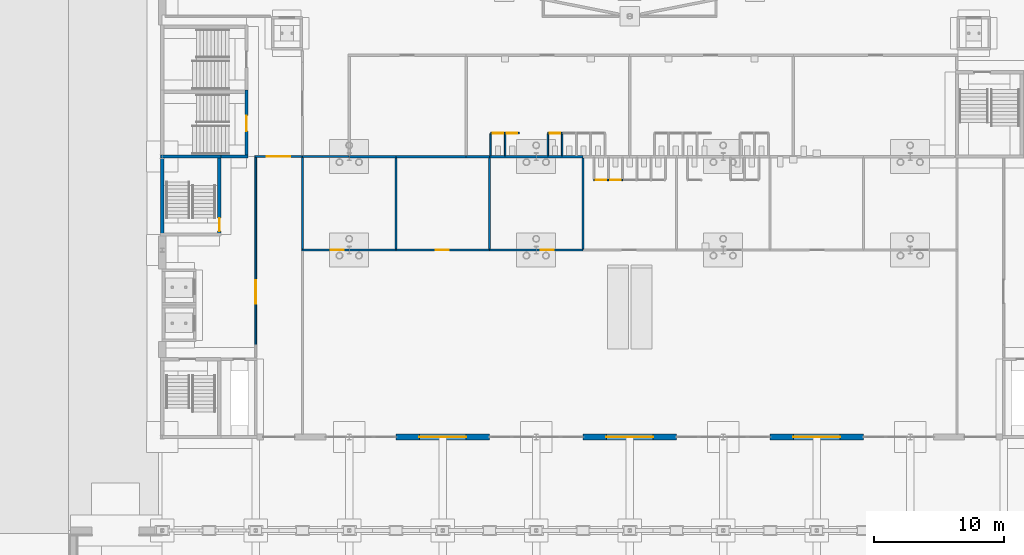
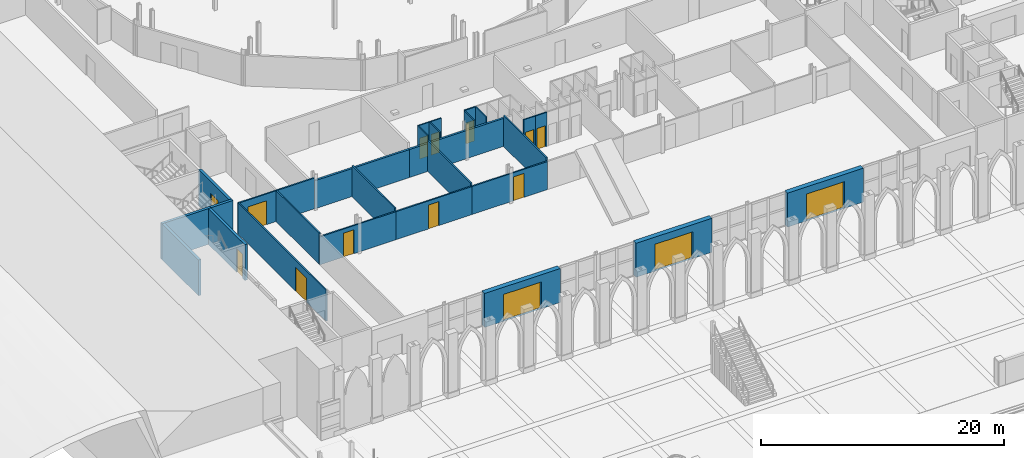
# One storey, part 76 of 148: 31 walls, 15 doors, 15 openings.
"""IFC4 building model written with IfcOpenShell, lengths in metres."""

from ifc_helpers import new_model, si_unit, direction, frame, frame_2d, origin, place, context, subcontext, project, spatial, rectangle, extrude, material, layer, layer_set, type_object, element, fill, save


model = new_model("IFC4")

# Units and contexts
model_context = context("Model", 3, precision=1e-05, world=origin(), true_north=direction((0.0, 1.0)))
body_context = subcontext(model_context, "Body", "Model", "MODEL_VIEW")
ifc_project = project(units=[si_unit("LENGTHUNIT", "METRE"), si_unit("AREAUNIT", "SQUARE_METRE"), si_unit("VOLUMEUNIT", "CUBIC_METRE"), si_unit("PLANEANGLEUNIT", "RADIAN"), si_unit("MASSUNIT", "GRAM", prefix="KILO")], contexts=[model_context])

# Site, building, storey
site_placement = place(None, origin())
site = spatial("IfcSite", under=ifc_project, at=site_placement, CompositionType="ELEMENT")
building_placement = place(site_placement, origin())
building = spatial("IfcBuilding", under=site, at=building_placement, Name="Kupolbacken Congress Centre", CompositionType="ELEMENT")
storey_placement = place(building_placement, origin())
storey = spatial("IfcBuildingStorey", under=building, at=storey_placement, Name="L00", CompositionType="ELEMENT", Elevation=0.0)

# Wall, opening, door
ifc_material_1 = material(Name="Concrete C40/50", Category="concrete")
ifc_layer_1 = layer(ifc_material_1, 0.1201171875)
ifc_material_2 = material(Name="Mineral wool", Category="insulation")
ifc_layer_2 = layer(ifc_material_2, 0.19189453125)
ifc_material_3 = material(Name="Air cavity", Category="air")
ifc_layer_3 = layer(ifc_material_3, 0.0400390625, ventilated=True)
ifc_material_4 = material(Name="Brick", Category="masonry")
ifc_layer_4 = layer(ifc_material_4, 0.10791015625)
ifc_layer_set_1 = layer_set([ifc_layer_1, ifc_layer_2, ifc_layer_3, ifc_layer_4], Name="Concrete C40/50 / Mineral wool / Brick")
wall_type_1 = type_object("IfcWallType", Name="EW06 external cavity wall 460", PredefinedType="SOLIDWALL", material=ifc_layer_set_1)
wall_1_placement = place(storey_placement, frame((25.199951171875, 28.800048828125, 0.0), z_axis=(0.0, 0.0, 1.0), x_axis=(1.0, 0.0, 0.0)))
wall_1 = element("IfcWall", 1, at=wall_1_placement, inside=storey, type_object=wall_type_1, Name="E/F/S/L00/032", PredefinedType="SOLIDWALL", context=body_context, shape_type="SweptSolid", body=[
    extrude(rectangle(XDim=7.199951171875, YDim=0.4599609375, at=frame_2d((3.60009765625, 0.0))), origin(), (0.0, 0.0, 1.0), 3.419921875),
])
opening_1_placement = place(wall_1_placement, frame((1.800048828125, 0.0, 0.0)))
opening_1 = element("IfcOpeningElement", 2, at=opening_1_placement, cuts=wall_1, Name="Opening D40", PredefinedType="OPENING", context=body_context, shape_type="SweptSolid", body=[
    extrude(rectangle(XDim=3.60009765625, YDim=2.699951171875, at=frame_2d((1.800048828125, 1.35009765625))), frame((0.0, 0.239990234375, 0.0), z_axis=(0.0, -1.0, 0.0), x_axis=(1.0, 0.0, 0.0)), (0.0, 0.0, 1.0), 0.47998046875),
])
ifc_material_5 = material(Name="Aluminium framed glazed door", Category="aluminium")
door_type_1 = type_object("IfcDoorType", Name="D40 entrance door pair 3600x2700", OperationType="DOUBLE_DOOR_SINGLE_SWING", PredefinedType="DOOR", material=ifc_material_5)
door_1_placement = place(opening_1_placement, frame((3.60009765625, 0.0, 0.0), z_axis=(0.0, 0.0, 1.0), x_axis=(-1.0, 0.0, 0.0)))
door_1 = element("IfcDoor", 3, at=door_1_placement, inside=storey, type_object=door_type_1, Name="Main entrance E1", OperationType="DOUBLE_DOOR_SINGLE_SWING", OverallHeight=2.699951171875, OverallWidth=3.60009765625, PredefinedType="DOOR", context=body_context, shape_type="SweptSolid", body=[
    extrude(rectangle(XDim=3.60009765625, YDim=2.699951171875, at=frame_2d((1.800048828125, 1.35009765625))), frame((0.0, 0.02490234375, 0.0), z_axis=(0.0, -1.0, 0.0), x_axis=(1.0, 0.0, 0.0)), (0.0, 0.0, 1.0), 0.050048828125),
])
fill(opening_1, door_1)

wall_2_placement = place(storey_placement, frame((39.60009765625, 28.800048828125, 0.0), z_axis=(0.0, 0.0, 1.0), x_axis=(1.0, 0.0, 0.0)))
wall_2 = element("IfcWall", 4, at=wall_2_placement, inside=storey, type_object=wall_type_1, Name="E/F/S/L00/035", PredefinedType="SOLIDWALL", context=body_context, shape_type="SweptSolid", body=[
    extrude(rectangle(XDim=7.199951171875, YDim=0.4599609375, at=frame_2d((3.60009765625, 0.0))), origin(), (0.0, 0.0, 1.0), 3.419921875),
])
opening_2_placement = place(wall_2_placement, frame((1.800048828125, 0.0, 0.0)))
opening_2 = element("IfcOpeningElement", 5, at=opening_2_placement, cuts=wall_2, Name="Opening D40", PredefinedType="OPENING", context=body_context, shape_type="SweptSolid", body=[
    extrude(rectangle(XDim=3.60009765625, YDim=2.699951171875, at=frame_2d((1.800048828125, 1.35009765625))), frame((0.0, 0.239990234375, 0.0), z_axis=(0.0, -1.0, 0.0), x_axis=(1.0, 0.0, 0.0)), (0.0, 0.0, 1.0), 0.47998046875),
])
door_2_placement = place(opening_2_placement, frame((3.60009765625, 0.0, 0.0), z_axis=(0.0, 0.0, 1.0), x_axis=(-1.0, 0.0, 0.0)))
door_2 = element("IfcDoor", 6, at=door_2_placement, inside=storey, type_object=door_type_1, Name="Main entrance E2", OperationType="DOUBLE_DOOR_SINGLE_SWING", OverallHeight=2.699951171875, OverallWidth=3.60009765625, PredefinedType="DOOR", context=body_context, shape_type="SweptSolid", body=[
    extrude(rectangle(XDim=3.60009765625, YDim=2.699951171875, at=frame_2d((1.800048828125, 1.35009765625))), frame((0.0, 0.02490234375, 0.0), z_axis=(0.0, -1.0, 0.0), x_axis=(1.0, 0.0, 0.0)), (0.0, 0.0, 1.0), 0.050048828125),
])
fill(opening_2, door_2)

wall_3_placement = place(storey_placement, frame((54.0, 28.800048828125, 0.0), z_axis=(0.0, 0.0, 1.0), x_axis=(1.0, 0.0, 0.0)))
wall_3 = element("IfcWall", 7, at=wall_3_placement, inside=storey, type_object=wall_type_1, Name="E/F/S/L00/038", PredefinedType="SOLIDWALL", context=body_context, shape_type="SweptSolid", body=[
    extrude(rectangle(XDim=7.199951171875, YDim=0.4599609375, at=frame_2d((3.60009765625, 0.0))), origin(), (0.0, 0.0, 1.0), 3.419921875),
])
opening_3_placement = place(wall_3_placement, frame((1.800048828125, 0.0, 0.0)))
opening_3 = element("IfcOpeningElement", 8, at=opening_3_placement, cuts=wall_3, Name="Opening D40", PredefinedType="OPENING", context=body_context, shape_type="SweptSolid", body=[
    extrude(rectangle(XDim=3.60009765625, YDim=2.699951171875, at=frame_2d((1.800048828125, 1.35009765625))), frame((0.0, 0.239990234375, 0.0), z_axis=(0.0, -1.0, 0.0), x_axis=(1.0, 0.0, 0.0)), (0.0, 0.0, 1.0), 0.47998046875),
])
door_3_placement = place(opening_3_placement, frame((3.60009765625, 0.0, 0.0), z_axis=(0.0, 0.0, 1.0), x_axis=(-1.0, 0.0, 0.0)))
door_3 = element("IfcDoor", 9, at=door_3_placement, inside=storey, type_object=door_type_1, Name="Main entrance E3", OperationType="DOUBLE_DOOR_SINGLE_SWING", OverallHeight=2.699951171875, OverallWidth=3.60009765625, PredefinedType="DOOR", context=body_context, shape_type="SweptSolid", body=[
    extrude(rectangle(XDim=3.60009765625, YDim=2.699951171875, at=frame_2d((1.800048828125, 1.35009765625))), frame((0.0, 0.02490234375, 0.0), z_axis=(0.0, -1.0, 0.0), x_axis=(1.0, 0.0, 0.0)), (0.0, 0.0, 1.0), 0.050048828125),
])
fill(opening_3, door_3)

ifc_material_6 = material(Name="Gypsum board", Category="drywall")
ifc_layer_5 = layer(ifc_material_6, 0.114990234375)
ifc_layer_set_2 = layer_set([ifc_layer_5], Name="Gypsum board")
wall_type_2 = type_object("IfcWallType", Name="P04 partition 115", PredefinedType="PARTITIONING", material=ifc_layer_set_2)
wall_4_placement = place(storey_placement, frame((40.449951171875, 48.60009765625, 0.0), z_axis=(0.0, 0.0, 1.0), x_axis=(1.0, 0.0, 0.0)))
wall_4 = element("IfcWall", 10, at=wall_4_placement, inside=storey, type_object=wall_type_2, Name="PD/L00/F-19/cub01/F", PredefinedType="PARTITIONING", context=body_context, shape_type="SweptSolid", body=[
    extrude(rectangle(XDim=1.10009765625, YDim=0.114990234375, at=frame_2d((0.550048828125, 0.0))), origin(), (0.0, 0.0, 1.0), 3.419921875),
])
opening_4_placement = place(wall_4_placement, frame((0.14990234375, 0.0, 0.0)))
opening_4 = element("IfcOpeningElement", 11, at=opening_4_placement, cuts=wall_4, Name="Opening 0.WF01", PredefinedType="OPENING", context=body_context, shape_type="SweptSolid", body=[
    extrude(rectangle(XDim=0.800048828125, YDim=2.10009765625, at=frame_2d((0.39990234375, 1.050048828125))), frame((0.0, 0.0673828125, 0.0), z_axis=(0.0, -1.0, 0.0), x_axis=(1.0, 0.0, 0.0)), (0.0, 0.0, 1.0), 0.135009765625),
])
ifc_material_7 = material(Name="Timber door leaf", Category="wood")
door_type_2 = type_object("IfcDoorType", Name="D2 door 800x2100", OperationType="SINGLE_SWING_LEFT", PredefinedType="DOOR", material=ifc_material_7)
door_4_placement = place(opening_4_placement, origin())
door_4 = element("IfcDoor", 12, at=door_4_placement, inside=storey, type_object=door_type_2, Name="PD/L00/F-19/cub01/F/DC", OperationType="SINGLE_SWING_RIGHT", OverallHeight=2.10009765625, OverallWidth=0.800048828125, PredefinedType="DOOR", context=body_context, shape_type="SweptSolid", body=[
    extrude(rectangle(XDim=0.800048828125, YDim=2.10009765625, at=frame_2d((0.39990234375, 1.050048828125))), frame((0.0, 0.02490234375, 0.0), z_axis=(0.0, -1.0, 0.0), x_axis=(1.0, 0.0, 0.0)), (0.0, 0.0, 1.0), 0.050048828125),
])
fill(opening_4, door_4)

wall_5_placement = place(storey_placement, frame((41.550048828125, 48.60009765625, 0.0), z_axis=(0.0, 0.0, 1.0), x_axis=(1.0, 0.0, 0.0)))
wall_5 = element("IfcWall", 13, at=wall_5_placement, inside=storey, type_object=wall_type_2, Name="PD/L00/F-19/cub02/F", PredefinedType="PARTITIONING", context=body_context, shape_type="SweptSolid", body=[
    extrude(rectangle(XDim=1.099853515625, YDim=0.114990234375, at=frame_2d((0.5498046875, 0.0))), origin(), (0.0, 0.0, 1.0), 3.419921875),
])
opening_5_placement = place(wall_5_placement, frame((0.14990234375, 0.0, 0.0)))
opening_5 = element("IfcOpeningElement", 14, at=opening_5_placement, cuts=wall_5, Name="Opening 0.WF02", PredefinedType="OPENING", context=body_context, shape_type="SweptSolid", body=[
    extrude(rectangle(XDim=0.800048828125, YDim=2.10009765625, at=frame_2d((0.39990234375, 1.050048828125))), frame((0.0, 0.0673828125, 0.0), z_axis=(0.0, -1.0, 0.0), x_axis=(1.0, 0.0, 0.0)), (0.0, 0.0, 1.0), 0.135009765625),
])
door_5_placement = place(opening_5_placement, origin())
door_5 = element("IfcDoor", 15, at=door_5_placement, inside=storey, type_object=door_type_2, Name="PD/L00/F-19/cub02/F/DC", OperationType="SINGLE_SWING_RIGHT", OverallHeight=2.10009765625, OverallWidth=0.800048828125, PredefinedType="DOOR", context=body_context, shape_type="SweptSolid", body=[
    extrude(rectangle(XDim=0.800048828125, YDim=2.10009765625, at=frame_2d((0.39990234375, 1.050048828125))), frame((0.0, 0.02490234375, 0.0), z_axis=(0.0, -1.0, 0.0), x_axis=(1.0, 0.0, 0.0)), (0.0, 0.0, 1.0), 0.050048828125),
])
fill(opening_5, door_5)

wall_6_placement = place(storey_placement, frame((32.5, 52.199951171875, 0.0), z_axis=(0.0, 0.0, 1.0), x_axis=(1.0, 0.0, 0.0)))
wall_6 = element("IfcWall", 16, at=wall_6_placement, inside=storey, type_object=wall_type_2, Name="PD/L00/P-29-10/cub01/F", PredefinedType="PARTITIONING", context=body_context, shape_type="SweptSolid", body=[
    extrude(rectangle(XDim=1.10009765625, YDim=0.114990234375, at=frame_2d((0.550048828125, 0.0))), origin(), (0.0, 0.0, 1.0), 3.419921875),
])
opening_6_placement = place(wall_6_placement, frame((0.14990234375, 0.0, 0.0)))
opening_6 = element("IfcOpeningElement", 17, at=opening_6_placement, cuts=wall_6, Name="Opening 0.WP09", PredefinedType="OPENING", context=body_context, shape_type="SweptSolid", body=[
    extrude(rectangle(XDim=0.800048828125, YDim=2.10009765625, at=frame_2d((0.39990234375, 1.050048828125))), frame((0.0, 0.0673828125, 0.0), z_axis=(0.0, -1.0, 0.0), x_axis=(1.0, 0.0, 0.0)), (0.0, 0.0, 1.0), 0.135009765625),
])
door_6_placement = place(opening_6_placement, origin())
door_6 = element("IfcDoor", 18, at=door_6_placement, inside=storey, type_object=door_type_2, Name="PD/L00/P-29-10/cub01/F/DC", OperationType="SINGLE_SWING_RIGHT", OverallHeight=2.10009765625, OverallWidth=0.800048828125, PredefinedType="DOOR", context=body_context, shape_type="SweptSolid", body=[
    extrude(rectangle(XDim=0.800048828125, YDim=2.10009765625, at=frame_2d((0.39990234375, 1.050048828125))), frame((0.0, 0.02490234375, 0.0), z_axis=(0.0, -1.0, 0.0), x_axis=(1.0, 0.0, 0.0)), (0.0, 0.0, 1.0), 0.050048828125),
])
fill(opening_6, door_6)

# Wall
wall_7_placement = place(storey_placement, frame((32.5, 50.45751953125, 0.0), z_axis=(0.0, 0.0, 1.0), x_axis=(0.0, 1.0, 0.0)))
element("IfcWall", 19, at=wall_7_placement, inside=storey, type_object=wall_type_2, Name="PD/L00/P-29-10/cub01/a", PredefinedType="PARTITIONING", context=body_context, shape_type="SweptSolid", body=[
    extrude(rectangle(XDim=1.68505859375, YDim=0.114990234375, at=frame_2d((0.842529296875, 0.0))), origin(), (0.0, 0.0, 1.0), 3.419921875),
])

# Wall, opening, door
wall_8_placement = place(storey_placement, frame((33.60009765625, 52.199951171875, 0.0), z_axis=(0.0, 0.0, 1.0), x_axis=(1.0, 0.0, 0.0)))
wall_8 = element("IfcWall", 20, at=wall_8_placement, inside=storey, type_object=wall_type_2, Name="PD/L00/P-29-10/cub02/F", PredefinedType="PARTITIONING", context=body_context, shape_type="SweptSolid", body=[
    extrude(rectangle(XDim=1.099853515625, YDim=0.114990234375, at=frame_2d((0.5498046875, 0.0))), origin(), (0.0, 0.0, 1.0), 3.419921875),
])
opening_7_placement = place(wall_8_placement, frame((0.14990234375, 0.0, 0.0)))
opening_7 = element("IfcOpeningElement", 21, at=opening_7_placement, cuts=wall_8, Name="Opening 0.WP10", PredefinedType="OPENING", context=body_context, shape_type="SweptSolid", body=[
    extrude(rectangle(XDim=0.800048828125, YDim=2.10009765625, at=frame_2d((0.39990234375, 1.050048828125))), frame((0.0, 0.0673828125, 0.0), z_axis=(0.0, -1.0, 0.0), x_axis=(1.0, 0.0, 0.0)), (0.0, 0.0, 1.0), 0.135009765625),
])
door_7_placement = place(opening_7_placement, origin())
door_7 = element("IfcDoor", 22, at=door_7_placement, inside=storey, type_object=door_type_2, Name="PD/L00/P-29-10/cub02/F/DC", OperationType="SINGLE_SWING_RIGHT", OverallHeight=2.10009765625, OverallWidth=0.800048828125, PredefinedType="DOOR", context=body_context, shape_type="SweptSolid", body=[
    extrude(rectangle(XDim=0.800048828125, YDim=2.10009765625, at=frame_2d((0.39990234375, 1.050048828125))), frame((0.0, 0.02490234375, 0.0), z_axis=(0.0, -1.0, 0.0), x_axis=(1.0, 0.0, 0.0)), (0.0, 0.0, 1.0), 0.050048828125),
])
fill(opening_7, door_7)

# Wall
wall_9_placement = place(storey_placement, frame((33.60009765625, 50.45751953125, 0.0), z_axis=(0.0, 0.0, 1.0), x_axis=(0.0, 1.0, 0.0)))
element("IfcWall", 23, at=wall_9_placement, inside=storey, type_object=wall_type_2, Name="PD/L00/P-29-10/cub02/a", PredefinedType="PARTITIONING", context=body_context, shape_type="SweptSolid", body=[
    extrude(rectangle(XDim=1.68505859375, YDim=0.114990234375, at=frame_2d((0.842529296875, 0.0))), origin(), (0.0, 0.0, 1.0), 3.419921875),
])

# Wall, opening, door
wall_10_placement = place(storey_placement, frame((36.89990234375, 52.199951171875, 0.0), z_axis=(0.0, 0.0, 1.0), x_axis=(1.0, 0.0, 0.0)))
wall_10 = element("IfcWall", 24, at=wall_10_placement, inside=storey, type_object=wall_type_2, Name="PD/L00/P-29-10/cub05/F", PredefinedType="PARTITIONING", context=body_context, shape_type="SweptSolid", body=[
    extrude(rectangle(XDim=1.10009765625, YDim=0.114990234375, at=frame_2d((0.550048828125, 0.0))), origin(), (0.0, 0.0, 1.0), 3.419921875),
])
opening_8_placement = place(wall_10_placement, frame((0.14990234375, 0.0, 0.0)))
opening_8 = element("IfcOpeningElement", 25, at=opening_8_placement, cuts=wall_10, Name="Opening 0.WP11", PredefinedType="OPENING", context=body_context, shape_type="SweptSolid", body=[
    extrude(rectangle(XDim=0.800048828125, YDim=2.10009765625, at=frame_2d((0.39990234375, 1.050048828125))), frame((0.0, 0.0673828125, 0.0), z_axis=(0.0, -1.0, 0.0), x_axis=(1.0, 0.0, 0.0)), (0.0, 0.0, 1.0), 0.135009765625),
])
door_8_placement = place(opening_8_placement, origin())
door_8 = element("IfcDoor", 26, at=door_8_placement, inside=storey, type_object=door_type_2, Name="PD/L00/P-29-10/cub05/F/DC", OperationType="SINGLE_SWING_LEFT", OverallHeight=2.10009765625, OverallWidth=0.800048828125, PredefinedType="DOOR", context=body_context, shape_type="SweptSolid", body=[
    extrude(rectangle(XDim=0.800048828125, YDim=2.10009765625, at=frame_2d((0.39990234375, 1.050048828125))), frame((0.0, 0.02490234375, 0.0), z_axis=(0.0, -1.0, 0.0), x_axis=(1.0, 0.0, 0.0)), (0.0, 0.0, 1.0), 0.050048828125),
])
fill(opening_8, door_8)

# Walls
for number, where, z_axis, x_axis, name in (
    (27, (36.89990234375, 50.45751953125, 0.0), (0.0, 0.0, 1.0), (0.0, 1.0, 0.0), "PD/L00/P-29-10/cub05/a"),
    (28, (38.0, 50.45751953125, 0.0), (0.0, 0.0, 1.0), (0.0, 1.0, 0.0), "PD/L00/P-29-10/cub06/a"),
):
    element("IfcWall", number, at=place(storey_placement, frame(where, z_axis=z_axis, x_axis=x_axis)), inside=storey, type_object=wall_type_2, Name=name, PredefinedType="PARTITIONING", context=body_context, shape_type="SweptSolid", body=[
        extrude(rectangle(XDim=1.68505859375, YDim=0.114990234375, at=frame_2d((0.842529296875, 0.0))), origin(), (0.0, 0.0, 1.0), 3.419921875),
    ])

# Wall, opening, door
ifc_material_8 = material(Name="Gypsum board", Category="drywall")
ifc_layer_6 = layer(ifc_material_8, 0.135009765625)
ifc_layer_set_3 = layer_set([ifc_layer_6], Name="Gypsum board")
wall_type_3 = type_object("IfcWallType", Name="P06 compartment wall 135", PredefinedType="PARTITIONING", material=ifc_layer_set_3)
wall_11_placement = place(storey_placement, frame((14.39990234375, 50.33251953125, 0.0), z_axis=(0.0, 0.0, 1.0), x_axis=(0.0, -1.0, 0.0)))
wall_11 = element("IfcWall", 29, at=wall_11_placement, inside=storey, type_object=wall_type_3, Name="PD/L00/W001", PredefinedType="PARTITIONING", context=body_context, shape_type="SweptSolid", body=[
    extrude(rectangle(XDim=14.442626953125, YDim=0.135009765625, at=frame_2d((7.22119140625, 0.0))), origin(), (0.0, 0.0, 1.0), 3.1201171875),
])
opening_9_placement = place(wall_11_placement, frame((9.449951171875, 0.0, 0.0)))
opening_9 = element("IfcOpeningElement", 30, at=opening_9_placement, cuts=wall_11, Name="Opening 0.F14", PredefinedType="OPENING", context=body_context, shape_type="SweptSolid", body=[
    extrude(rectangle(XDim=1.800048828125, YDim=2.39990234375, at=frame_2d((0.89990234375, 1.199951171875))), frame((0.0, 0.077392578125, 0.0), z_axis=(0.0, -1.0, 0.0), x_axis=(1.0, 0.0, 0.0)), (0.0, 0.0, 1.0), 0.155029296875),
])
ifc_material_9 = material(Name="Steel fire door leaf", Category="steel")
door_type_3 = type_object("IfcDoorType", Name="D15 fire door 1800x2400", OperationType="DOUBLE_DOOR_SINGLE_SWING", PredefinedType="DOOR", material=ifc_material_9)
door_9_placement = place(opening_9_placement, frame((1.800048828125, 0.0, 0.0), z_axis=(0.0, 0.0, 1.0), x_axis=(-1.0, 0.0, 0.0)))
door_9 = element("IfcDoor", 31, at=door_9_placement, inside=storey, type_object=door_type_3, Name="PD/L00/W001/D0F14", OperationType="DOUBLE_DOOR_SINGLE_SWING", OverallHeight=2.39990234375, OverallWidth=1.800048828125, PredefinedType="DOOR", context=body_context, shape_type="SweptSolid", body=[
    extrude(rectangle(XDim=1.800048828125, YDim=2.39990234375, at=frame_2d((0.89990234375, 1.199951171875))), frame((0.0, 0.02490234375, 0.0), z_axis=(0.0, -1.0, 0.0), x_axis=(1.0, 0.0, 0.0)), (0.0, 0.0, 1.0), 0.050048828125),
])
fill(opening_9, door_9)

wall_12_placement = place(storey_placement, frame((18.0, 50.39990234375, 0.0), z_axis=(0.0, 0.0, 1.0), x_axis=(-1.0, 0.0, 0.0)))
wall_12 = element("IfcWall", 32, at=wall_12_placement, inside=storey, type_object=wall_type_3, Name="PD/L00/W003", PredefinedType="PARTITIONING", context=body_context, shape_type="SweptSolid", body=[
    extrude(rectangle(XDim=3.66748046875, YDim=0.135009765625, at=frame_2d((1.833740234375, 0.0))), origin(), (0.0, 0.0, 1.0), 3.090087890625),
])
opening_10_placement = place(wall_12_placement, frame((0.949951171875, 0.0, 0.0)))
opening_10 = element("IfcOpeningElement", 33, at=opening_10_placement, cuts=wall_12, Name="Opening 0.P23", PredefinedType="OPENING", context=body_context, shape_type="SweptSolid", body=[
    extrude(rectangle(XDim=1.800048828125, YDim=2.39990234375, at=frame_2d((0.89990234375, 1.199951171875))), frame((0.0, 0.077392578125, 0.0), z_axis=(0.0, -1.0, 0.0), x_axis=(1.0, 0.0, 0.0)), (0.0, 0.0, 1.0), 0.155029296875),
])
door_10_placement = place(opening_10_placement, origin())
door_10 = element("IfcDoor", 34, at=door_10_placement, inside=storey, type_object=door_type_3, Name="PD/L00/W003/D0P23", OperationType="DOUBLE_DOOR_SINGLE_SWING", OverallHeight=2.39990234375, OverallWidth=1.800048828125, PredefinedType="DOOR", context=body_context, shape_type="SweptSolid", body=[
    extrude(rectangle(XDim=1.800048828125, YDim=2.39990234375, at=frame_2d((0.89990234375, 1.199951171875))), frame((0.0, 0.02490234375, 0.0), z_axis=(0.0, -1.0, 0.0), x_axis=(1.0, 0.0, 0.0)), (0.0, 0.0, 1.0), 0.050048828125),
])
fill(opening_10, door_10)

wall_13_placement = place(storey_placement, frame((17.9326171875, 43.199951171875, 0.0), z_axis=(0.0, 0.0, 1.0), x_axis=(1.0, 0.0, 0.0)))
wall_13 = element("IfcWall", 35, at=wall_13_placement, inside=storey, type_object=wall_type_3, Name="PD/L00/W030", PredefinedType="PARTITIONING", context=body_context, shape_type="SweptSolid", body=[
    extrude(rectangle(XDim=7.267333984375, YDim=0.135009765625, at=frame_2d((3.6337890625, 0.0))), origin(), (0.0, 0.0, 1.0), 2.820068359375),
])
opening_11_placement = place(wall_13_placement, frame((2.25, 0.0, 0.0)))
opening_11 = element("IfcOpeningElement", 36, at=opening_11_placement, cuts=wall_13, Name="Opening 0.F07", PredefinedType="OPENING", context=body_context, shape_type="SweptSolid", body=[
    extrude(rectangle(XDim=1.0, YDim=2.39990234375, at=frame_2d((0.5, 1.199951171875))), frame((0.0, 0.077392578125, 0.0), z_axis=(0.0, -1.0, 0.0), x_axis=(1.0, 0.0, 0.0)), (0.0, 0.0, 1.0), 0.155029296875),
])
ifc_material_10 = material(Name="Steel fire door leaf", Category="steel")
door_type_4 = type_object("IfcDoorType", Name="D8 fire door 1000x2400", OperationType="SINGLE_SWING_LEFT", PredefinedType="DOOR", material=ifc_material_10)
door_11_placement = place(opening_11_placement, origin())
door_11 = element("IfcDoor", 37, at=door_11_placement, inside=storey, type_object=door_type_4, Name="PD/L00/W030/D0F07", OperationType="SINGLE_SWING_RIGHT", OverallHeight=2.39990234375, OverallWidth=1.0, PredefinedType="DOOR", context=body_context, shape_type="SweptSolid", body=[
    extrude(rectangle(XDim=1.0, YDim=2.39990234375, at=frame_2d((0.5, 1.199951171875))), frame((0.0, 0.02490234375, 0.0), z_axis=(0.0, -1.0, 0.0), x_axis=(1.0, 0.0, 0.0)), (0.0, 0.0, 1.0), 0.050048828125),
])
fill(opening_11, door_11)

wall_14_placement = place(storey_placement, frame((25.199951171875, 43.199951171875, 0.0), z_axis=(0.0, 0.0, 1.0), x_axis=(1.0, 0.0, 0.0)))
wall_14 = element("IfcWall", 38, at=wall_14_placement, inside=storey, type_object=wall_type_3, Name="PD/L00/W031", PredefinedType="PARTITIONING", context=body_context, shape_type="SweptSolid", body=[
    extrude(rectangle(XDim=7.199951171875, YDim=0.135009765625, at=frame_2d((3.60009765625, 0.0))), origin(), (0.0, 0.0, 1.0), 2.820068359375),
])
opening_12_placement = place(wall_14_placement, frame((3.050048828125, 0.0, 0.0)))
opening_12 = element("IfcOpeningElement", 39, at=opening_12_placement, cuts=wall_14, Name="Opening 0.F08", PredefinedType="OPENING", context=body_context, shape_type="SweptSolid", body=[
    extrude(rectangle(XDim=1.0, YDim=2.39990234375, at=frame_2d((0.5, 1.199951171875))), frame((0.0, 0.077392578125, 0.0), z_axis=(0.0, -1.0, 0.0), x_axis=(1.0, 0.0, 0.0)), (0.0, 0.0, 1.0), 0.155029296875),
])
door_12_placement = place(opening_12_placement, origin())
door_12 = element("IfcDoor", 40, at=door_12_placement, inside=storey, type_object=door_type_4, Name="PD/L00/W031/D0F08", OperationType="SINGLE_SWING_RIGHT", OverallHeight=2.39990234375, OverallWidth=1.0, PredefinedType="DOOR", context=body_context, shape_type="SweptSolid", body=[
    extrude(rectangle(XDim=1.0, YDim=2.39990234375, at=frame_2d((0.5, 1.199951171875))), frame((0.0, 0.02490234375, 0.0), z_axis=(0.0, -1.0, 0.0), x_axis=(1.0, 0.0, 0.0)), (0.0, 0.0, 1.0), 0.050048828125),
])
fill(opening_12, door_12)

wall_15_placement = place(storey_placement, frame((32.39990234375, 43.199951171875, 0.0), z_axis=(0.0, 0.0, 1.0), x_axis=(1.0, 0.0, 0.0)))
wall_15 = element("IfcWall", 41, at=wall_15_placement, inside=storey, type_object=wall_type_3, Name="PD/L00/W032", PredefinedType="PARTITIONING", context=body_context, shape_type="SweptSolid", body=[
    extrude(rectangle(XDim=7.2001953125, YDim=0.135009765625, at=frame_2d((3.60009765625, 0.0))), origin(), (0.0, 0.0, 1.0), 2.820068359375),
])
opening_13_placement = place(wall_15_placement, frame((3.949951171875, 0.0, 0.0)))
opening_13 = element("IfcOpeningElement", 42, at=opening_13_placement, cuts=wall_15, Name="Opening 0.F09", PredefinedType="OPENING", context=body_context, shape_type="SweptSolid", body=[
    extrude(rectangle(XDim=1.0, YDim=2.39990234375, at=frame_2d((0.5, 1.199951171875))), frame((0.0, 0.077392578125, 0.0), z_axis=(0.0, -1.0, 0.0), x_axis=(1.0, 0.0, 0.0)), (0.0, 0.0, 1.0), 0.155029296875),
])
door_13_placement = place(opening_13_placement, origin())
door_13 = element("IfcDoor", 43, at=door_13_placement, inside=storey, type_object=door_type_4, Name="PD/L00/W032/D0F09", OperationType="SINGLE_SWING_LEFT", OverallHeight=2.39990234375, OverallWidth=1.0, PredefinedType="DOOR", context=body_context, shape_type="SweptSolid", body=[
    extrude(rectangle(XDim=1.0, YDim=2.39990234375, at=frame_2d((0.5, 1.199951171875))), frame((0.0, 0.02490234375, 0.0), z_axis=(0.0, -1.0, 0.0), x_axis=(1.0, 0.0, 0.0)), (0.0, 0.0, 1.0), 0.050048828125),
])
fill(opening_13, door_13)

# Walls
wall_16_placement = place(storey_placement, frame((18.0, 50.33251953125, 0.0), z_axis=(0.0, 0.0, 1.0), x_axis=(0.0, -1.0, 0.0)))
element("IfcWall", 44, at=wall_16_placement, inside=storey, type_object=wall_type_3, Name="PD/L00/W037", PredefinedType="PARTITIONING", context=body_context, shape_type="SweptSolid", body=[
    extrude(rectangle(XDim=7.06494140625, YDim=0.135009765625, at=frame_2d((3.532470703125, 0.0))), origin(), (0.0, 0.0, 1.0), 3.1201171875),
])
wall_17_placement = place(storey_placement, frame((25.199951171875, 50.304931640625, 0.0), z_axis=(0.0, 0.0, 1.0), x_axis=(0.0, -1.0, 0.0)))
element("IfcWall", 45, at=wall_17_placement, inside=storey, type_object=wall_type_3, Name="PD/L00/W039", PredefinedType="PARTITIONING", context=body_context, shape_type="SweptSolid", body=[
    extrude(rectangle(XDim=7.037353515625, YDim=0.135009765625, at=frame_2d((3.5185546875, 0.0))), origin(), (0.0, 0.0, 1.0), 3.1201171875),
])
wall_18_placement = place(storey_placement, frame((18.0, 50.39990234375, 0.0), z_axis=(0.0, 0.0, 1.0), x_axis=(1.0, 0.0, 0.0)))
element("IfcWall", 46, at=wall_18_placement, inside=storey, type_object=wall_type_3, Name="PD/L00/W041", PredefinedType="PARTITIONING", context=body_context, shape_type="SweptSolid", body=[
    extrude(rectangle(XDim=3.60009765625, YDim=0.135009765625, at=frame_2d((1.800048828125, 0.0))), origin(), (0.0, 0.0, 1.0), 3.090087890625),
])
for number, where, z_axis, x_axis, name in (
    (47, (32.39990234375, 50.304931640625, 0.0), (0.0, 0.0, 1.0), (0.0, -1.0, 0.0), "PD/L00/W042"),
    (48, (39.60009765625, 50.304931640625, 0.0), (0.0, 0.0, 1.0), (0.0, -1.0, 0.0), "PD/L00/W045"),
):
    element("IfcWall", number, at=place(storey_placement, frame(where, z_axis=z_axis, x_axis=x_axis)), inside=storey, type_object=wall_type_3, Name=name, PredefinedType="PARTITIONING", context=body_context, shape_type="SweptSolid", body=[
        extrude(rectangle(XDim=7.037353515625, YDim=0.135009765625, at=frame_2d((3.5185546875, 0.0))), origin(), (0.0, 0.0, 1.0), 3.1201171875),
    ])
ifc_material_11 = material(Name="Gypsum board", Category="drywall")
ifc_layer_7 = layer(ifc_material_11, 0.18994140625)
ifc_layer_set_4 = layer_set([ifc_layer_7], Name="Gypsum board")
wall_type_4 = type_object("IfcWallType", Name="P10 partition 190", PredefinedType="PARTITIONING", material=ifc_layer_set_4)
wall_19_placement = place(storey_placement, frame((21.60009765625, 50.39990234375, 0.0), z_axis=(0.0, 0.0, 1.0), x_axis=(1.0, 0.0, 0.0)))
element("IfcWall", 49, at=wall_19_placement, inside=storey, type_object=wall_type_4, Name="PD/L00/W040", PredefinedType="PARTITIONING", context=body_context, shape_type="SweptSolid", body=[
    extrude(rectangle(XDim=3.599853515625, YDim=0.18994140625, at=frame_2d((1.7998046875, 0.0))), origin(), (0.0, 0.0, 1.0), 2.820068359375),
])
wall_20_placement = place(storey_placement, frame((25.199951171875, 50.39990234375, 0.0), z_axis=(0.0, 0.0, 1.0), x_axis=(1.0, 0.0, 0.0)))
element("IfcWall", 50, at=wall_20_placement, inside=storey, type_object=wall_type_4, Name="PD/L00/W043", PredefinedType="PARTITIONING", context=body_context, shape_type="SweptSolid", body=[
    extrude(rectangle(XDim=5.400146484375, YDim=0.18994140625, at=frame_2d((2.7001953125, 0.0))), origin(), (0.0, 0.0, 1.0), 2.820068359375),
])
wall_21_placement = place(storey_placement, frame((30.60009765625, 50.39990234375, 0.0), z_axis=(0.0, 0.0, 1.0), x_axis=(1.0, 0.0, 0.0)))
element("IfcWall", 51, at=wall_21_placement, inside=storey, type_object=wall_type_4, Name="PD/L00/W044", PredefinedType="PARTITIONING", context=body_context, shape_type="SweptSolid", body=[
    extrude(rectangle(XDim=1.7998046875, YDim=0.18994140625, at=frame_2d((0.89990234375, 0.0))), origin(), (0.0, 0.0, 1.0), 2.820068359375),
])
wall_22_placement = place(storey_placement, frame((32.39990234375, 50.39990234375, 0.0), z_axis=(0.0, 0.0, 1.0), x_axis=(1.0, 0.0, 0.0)))
element("IfcWall", 52, at=wall_22_placement, inside=storey, type_object=wall_type_4, Name="PD/L00/W046", PredefinedType="PARTITIONING", context=body_context, shape_type="SweptSolid", body=[
    extrude(rectangle(XDim=7.2001953125, YDim=0.18994140625, at=frame_2d((3.60009765625, 0.0))), origin(), (0.0, 0.0, 1.0), 2.820068359375),
])

# Wall, opening, door
ifc_material_12 = material(Name="Concrete C40/50", Category="concrete")
ifc_layer_8 = layer(ifc_material_12, 0.25)
ifc_layer_set_5 = layer_set([ifc_layer_8], Name="Concrete C40/50")
wall_type_5 = type_object("IfcWallType", Name="WC2 RC stair enclosure wall 250", PredefinedType="SHEAR", material=ifc_layer_set_5)
wall_23_placement = place(storey_placement, frame((11.60009765625, 44.27490234375, 0.0), z_axis=(0.0, 0.0, 1.0), x_axis=(0.0, 1.0, 0.0)))
wall_23 = element("IfcWall", 53, at=wall_23_placement, inside=storey, type_object=wall_type_5, Name="Stair enclosure wall L00-015", PredefinedType="SHEAR", context=body_context, shape_type="SweptSolid", body=[
    extrude(rectangle(XDim=6.25, YDim=0.25, at=frame_2d((3.125, 0.0))), origin(), (0.0, 0.0, 1.0), 3.60009765625),
])
opening_14_placement = place(wall_23_placement, frame((0.375, 0.0, 0.0)))
opening_14 = element("IfcOpeningElement", 54, at=opening_14_placement, cuts=wall_23, Name="Opening 0.F02", PredefinedType="OPENING", context=body_context, shape_type="SweptSolid", body=[
    extrude(rectangle(XDim=1.0, YDim=2.39990234375, at=frame_2d((0.5, 1.199951171875))), frame((0.0, 0.135009765625, 0.0), z_axis=(0.0, -1.0, 0.0), x_axis=(1.0, 0.0, 0.0)), (0.0, 0.0, 1.0), 0.27001953125),
])
door_14_placement = place(opening_14_placement, origin())
door_14 = element("IfcDoor", 55, at=door_14_placement, inside=storey, type_object=door_type_4, Name="S/core/L00/015/D0F02", OperationType="SINGLE_SWING_RIGHT", OverallHeight=2.39990234375, OverallWidth=1.0, PredefinedType="DOOR", context=body_context, shape_type="SweptSolid", body=[
    extrude(rectangle(XDim=1.0, YDim=2.39990234375, at=frame_2d((0.5, 1.199951171875))), frame((0.0, 0.02490234375, 0.0), z_axis=(0.0, -1.0, 0.0), x_axis=(1.0, 0.0, 0.0)), (0.0, 0.0, 1.0), 0.050048828125),
])
fill(opening_14, door_14)

# Walls
wall_24_placement = place(storey_placement, frame((7.199951171875, 50.52490234375, 0.0), z_axis=(0.0, 0.0, 1.0), x_axis=(0.0, -1.0, 0.0)))
element("IfcWall", 56, at=wall_24_placement, inside=storey, type_object=wall_type_5, Name="Stair enclosure wall L00-023", PredefinedType="SHEAR", context=body_context, shape_type="SweptSolid", body=[
    extrude(rectangle(XDim=6.25, YDim=0.25, at=frame_2d((3.125, 0.0))), origin(), (0.0, 0.0, 1.0), 3.60009765625),
])
wall_25_placement = place(storey_placement, frame((11.72509765625, 50.39990234375, 0.0), z_axis=(0.0, 0.0, 1.0), x_axis=(-1.0, 0.0, 0.0)))
element("IfcWall", 57, at=wall_25_placement, inside=storey, type_object=wall_type_5, Name="Stair enclosure wall L00-024", PredefinedType="SHEAR", context=body_context, shape_type="SweptSolid", body=[
    extrude(rectangle(XDim=4.650146484375, YDim=0.25, at=frame_2d((2.3251953125, 0.0))), origin(), (0.0, 0.0, 1.0), 3.60009765625),
])
wall_26_placement = place(storey_placement, frame((11.72509765625, 50.39990234375, 0.0), z_axis=(0.0, 0.0, 1.0), x_axis=(1.0, 0.0, 0.0)))
element("IfcWall", 58, at=wall_26_placement, inside=storey, type_object=wall_type_5, Name="Stair enclosure wall L00-025", PredefinedType="SHEAR", context=body_context, shape_type="SweptSolid", body=[
    extrude(rectangle(XDim=2.099853515625, YDim=0.25, at=frame_2d((1.0498046875, 0.0))), origin(), (0.0, 0.0, 1.0), 3.60009765625),
])

# Wall, opening, door
wall_27_placement = place(storey_placement, frame((13.699951171875, 50.27490234375, 0.0), z_axis=(0.0, 0.0, 1.0), x_axis=(0.0, 1.0, 0.0)))
wall_27 = element("IfcWall", 59, at=wall_27_placement, inside=storey, type_object=wall_type_5, Name="Stair enclosure wall L00-026", PredefinedType="SHEAR", context=body_context, shape_type="SweptSolid", body=[
    extrude(rectangle(XDim=5.25, YDim=0.25, at=frame_2d((2.625, 0.0))), origin(), (0.0, 0.0, 1.0), 3.60009765625),
])
opening_15_placement = place(wall_27_placement, frame((2.074951171875, 0.0, 0.0)))
opening_15 = element("IfcOpeningElement", 60, at=opening_15_placement, cuts=wall_27, Name="Opening 0.P01", PredefinedType="OPENING", context=body_context, shape_type="SweptSolid", body=[
    extrude(rectangle(XDim=1.199951171875, YDim=2.39990234375, at=frame_2d((0.60009765625, 1.199951171875))), frame((0.0, 0.135009765625, 0.0), z_axis=(0.0, -1.0, 0.0), x_axis=(1.0, 0.0, 0.0)), (0.0, 0.0, 1.0), 0.27001953125),
])
ifc_material_13 = material(Name="Steel fire door leaf", Category="steel")
door_type_5 = type_object("IfcDoorType", Name="D9 fire door 1200x2400", OperationType="SINGLE_SWING_LEFT", PredefinedType="DOOR", material=ifc_material_13)
door_15_placement = place(opening_15_placement, origin())
door_15 = element("IfcDoor", 61, at=door_15_placement, inside=storey, type_object=door_type_5, Name="S/core/L00/026/D0P01", OperationType="SINGLE_SWING_LEFT", OverallHeight=2.39990234375, OverallWidth=1.199951171875, PredefinedType="DOOR", context=body_context, shape_type="SweptSolid", body=[
    extrude(rectangle(XDim=1.199951171875, YDim=2.39990234375, at=frame_2d((0.60009765625, 1.199951171875))), frame((0.0, 0.02490234375, 0.0), z_axis=(0.0, -1.0, 0.0), x_axis=(1.0, 0.0, 0.0)), (0.0, 0.0, 1.0), 0.050048828125),
])
fill(opening_15, door_15)

save(model, "model.ifc")
